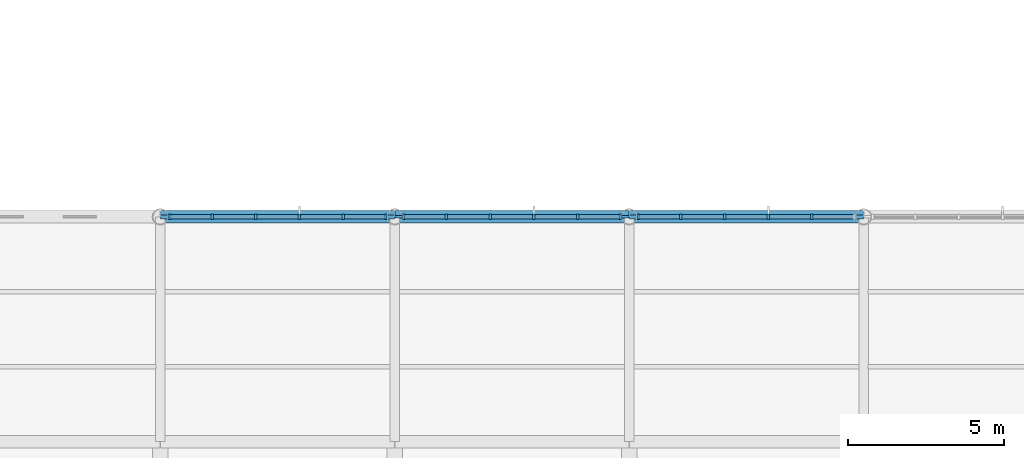
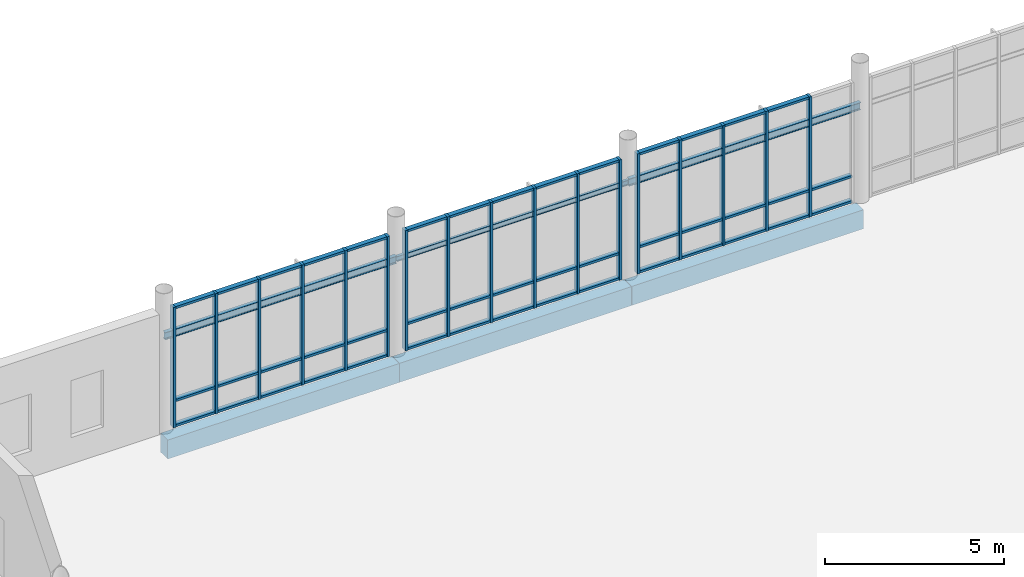
# One storey, part 20 of 82: 61 members, 6 beams, 3 elements without a shape of their own.
"""IFC4 building model written with IfcOpenShell, lengths in metres."""

from ifc_helpers import new_model, si_unit, direction, frame, origin, origin_2d, place, context, subcontext, project, spatial, rectangle, i_section, extrude, material, layer, layer_set, material_profile, profile_set, type_object, element, aggregate, save


model = new_model("IFC4")

# Units and contexts
model_context = context("Model", 3, precision=1e-05, world=origin(), true_north=direction((0.0, 1.0)))
body_context = subcontext(model_context, "Body", "Model", "MODEL_VIEW")
ifc_project = project(units=[si_unit("LENGTHUNIT", "METRE"), si_unit("AREAUNIT", "SQUARE_METRE"), si_unit("VOLUMEUNIT", "CUBIC_METRE"), si_unit("PLANEANGLEUNIT", "RADIAN"), si_unit("MASSUNIT", "GRAM", prefix="KILO")], contexts=[model_context])

# Site, building, storey
site_placement = place(None, origin())
site = spatial("IfcSite", under=ifc_project, at=site_placement, CompositionType="ELEMENT")
building_placement = place(site_placement, origin())
building = spatial("IfcBuilding", under=site, at=building_placement, Name="Yukiwa Park Conservatory and Herbarium", CompositionType="ELEMENT")
storey_placement = place(building_placement, origin())
storey = spatial("IfcBuildingStorey", under=building, at=storey_placement, Name="L00", CompositionType="ELEMENT", Elevation=0.0)

# Beams
ifc_material_1 = material(Name="Steel Q355D", Category="steel")
ifc_material_profile_1 = material_profile(ifc_material_1, i_section(OverallWidth=0.090087890625, OverallDepth=0.175048828125, WebThickness=0.0048828125, FlangeThickness=0.008056640625, FilletRadius=0.009033203125, at=origin_2d()), Name="HN 175x90x5x8")
ifc_profile_set_1 = profile_set([ifc_material_profile_1], Name="Steel Q355D")
beam_type_1 = type_object("IfcBeamType", Name="BM-LNT-HN175", PredefinedType="LINTEL", material=ifc_profile_set_1)
beam_placement = place(storey_placement, frame((15.006103515625, 31.199951171875, 3.199951171875), z_axis=(1.0, 0.0, 0.0), x_axis=(0.0, 1.0, 0.0)))
element("IfcBeam", 1, at=beam_placement, inside=storey, type_object=beam_type_1, Name="Conservatory north glazed portal steel lintel 2", PredefinedType="LINTEL", context=body_context, shape_type="SweptSolid", body=[
    extrude(i_section(OverallWidth=0.090087890625, OverallDepth=0.175048828125, WebThickness=0.0048828125, FlangeThickness=0.008056640625, FilletRadius=0.009033203125, at=origin_2d()), origin(), (0.0, 0.0, 1.0), 7.48779296875),
])
ifc_material_2 = material(Name="Steel Q355D", Category="steel")
ifc_material_profile_2 = material_profile(ifc_material_2, i_section(OverallWidth=0.125, OverallDepth=0.25, WebThickness=0.006103515625, FlangeThickness=0.009033203125, FilletRadius=0.011962890625, at=origin_2d()), Name="HN 250x125x6x9")
ifc_profile_set_2 = profile_set([ifc_material_profile_2], Name="Steel Q355D")
beam_type_2 = type_object("IfcBeamType", Name="BM-LNT-HN250", PredefinedType="LINTEL", material=ifc_profile_set_2)
for number, where, z_axis, x_axis, name in (
    (2, (7.506103515625, 31.199951171875, 3.199951171875), (1.0, 0.0, 0.0), (0.0, 1.0, 0.0), "Conservatory north glazed portal steel lintel 1"),
    (3, (22.506103515625, 31.199951171875, 3.199951171875), (1.0, 0.0, 0.0), (0.0, 1.0, 0.0), "Conservatory north glazed portal steel lintel 3"),
):
    element("IfcBeam", number, at=place(storey_placement, frame(where, z_axis=z_axis, x_axis=x_axis)), inside=storey, type_object=beam_type_2, Name=name, PredefinedType="LINTEL", context=body_context, shape_type="SweptSolid", body=[
        extrude(i_section(OverallWidth=0.125, OverallDepth=0.25, WebThickness=0.006103515625, FlangeThickness=0.009033203125, FilletRadius=0.011962890625, at=origin_2d()), origin(), (0.0, 0.0, 1.0), 7.48779296875),
    ])
ifc_material_3 = material(Name="Concrete C40", Category="concrete")
ifc_material_profile_3 = material_profile(ifc_material_3, rectangle(XDim=0.39990234375, YDim=0.64990234375, at=origin_2d()), Name="RC 400x650")
ifc_profile_set_3 = profile_set([ifc_material_profile_3], Name="Concrete C40")
beam_type_3 = type_object("IfcBeamType", Name="BM-RC-400X650", PredefinedType="BEAM", material=ifc_profile_set_3)
for number, where, z_axis, x_axis, name in (
    (4, (7.506103515625, 31.199951171875, -0.5849609375), (1.0, 0.0, 0.0), (0.0, 1.0, 0.0), "L00 grid beam X-46"),
    (5, (15.006103515625, 31.199951171875, -0.5849609375), (1.0, 0.0, 0.0), (0.0, 1.0, 0.0), "L00 grid beam X-47"),
    (6, (22.506103515625, 31.199951171875, -0.5849609375), (1.0, 0.0, 0.0), (0.0, 1.0, 0.0), "L00 grid beam X-48"),
):
    element("IfcBeam", number, at=place(storey_placement, frame(where, z_axis=z_axis, x_axis=x_axis)), inside=storey, type_object=beam_type_3, Name=name, PredefinedType="BEAM", context=body_context, shape_type="SweptSolid", body=[
        extrude(rectangle(XDim=0.39990234375, YDim=0.64990234375, at=origin_2d()), origin(), (0.0, 0.0, 1.0), 7.48779296875),
    ])

# Curtain wall, members
ifc_material_4 = material(Name="Triple Low-E Insulated Glass", Category="glass")
ifc_layer = layer(ifc_material_4, 0.152099609375)
ifc_layer_set = layer_set([ifc_layer], Name="Triple Low-E Insulated Glass")
curtain_wall_type = type_object("IfcCurtainWallType", Name="CW-CONSERVATORY-1500", PredefinedType="NOTDEFINED", material=ifc_layer_set)
curtain_wall_1_placement = place(storey_placement, origin())
curtain_wall_1 = element("IfcCurtainWall", 7, at=curtain_wall_1_placement, inside=storey, type_object=curtain_wall_type, Name="L00 unitised curtain wall CW-L00-021", PredefinedType="NOTDEFINED")
ifc_material_5 = material(Name="Anodised Aluminium", Category="aluminium")
member_type_1 = type_object("IfcMemberType", Name="MB-CW-MUL-80X180", PredefinedType="MULLION", material=ifc_material_5)
member_1_placement = place(storey_placement, frame((28.34765625, 31.199951171875, 0.0), z_axis=(0.0, 0.0, 1.0), x_axis=(-1.0, 0.0, 0.0)))
member_1 = element("IfcMember", 8, at=member_1_placement, type_object=member_type_1, Name="CW-L00-021 mullion 2", PredefinedType="MULLION", context=body_context, shape_type="SweptSolid", body=[
    extrude(rectangle(XDim=0.080078125, YDim=0.179931640625, at=origin_2d()), origin(), (0.0, 0.0, 1.0), 4.110107421875),
])
member_2_placement = place(storey_placement, frame((26.94921875, 31.199951171875, 0.0), z_axis=(0.0, 0.0, 1.0), x_axis=(-1.0, 0.0, 0.0)))
member_2 = element("IfcMember", 9, at=member_2_placement, type_object=member_type_1, Name="CW-L00-021 mullion 3", PredefinedType="MULLION", context=body_context, shape_type="SweptSolid", body=[
    extrude(rectangle(XDim=0.080078125, YDim=0.179931640625, at=origin_2d()), origin(), (0.0, 0.0, 1.0), 4.110107421875),
])
member_3_placement = place(storey_placement, frame((25.55078125, 31.199951171875, 0.0), z_axis=(0.0, 0.0, 1.0), x_axis=(-1.0, 0.0, 0.0)))
member_3 = element("IfcMember", 10, at=member_3_placement, type_object=member_type_1, Name="CW-L00-021 mullion 4", PredefinedType="MULLION", context=body_context, shape_type="SweptSolid", body=[
    extrude(rectangle(XDim=0.080078125, YDim=0.179931640625, at=origin_2d()), origin(), (0.0, 0.0, 1.0), 4.110107421875),
])
member_4_placement = place(storey_placement, frame((24.15234375, 31.199951171875, 0.0), z_axis=(0.0, 0.0, 1.0), x_axis=(-1.0, 0.0, 0.0)))
member_4 = element("IfcMember", 11, at=member_4_placement, type_object=member_type_1, Name="CW-L00-021 mullion 5", PredefinedType="MULLION", context=body_context, shape_type="SweptSolid", body=[
    extrude(rectangle(XDim=0.080078125, YDim=0.179931640625, at=origin_2d()), origin(), (0.0, 0.0, 1.0), 4.110107421875),
])
member_5_placement = place(storey_placement, frame((22.7939453125, 31.199951171875, 0.0), z_axis=(0.0, 0.0, 1.0), x_axis=(-1.0, 0.0, 0.0)))
member_5 = element("IfcMember", 12, at=member_5_placement, type_object=member_type_1, Name="CW-L00-021 mullion 6", PredefinedType="MULLION", context=body_context, shape_type="SweptSolid", body=[
    extrude(rectangle(XDim=0.080078125, YDim=0.179931640625, at=origin_2d()), origin(), (0.0, 0.0, 1.0), 4.110107421875),
])

curtain_wall_2_placement = place(storey_placement, origin())
curtain_wall_2 = element("IfcCurtainWall", 13, at=curtain_wall_2_placement, inside=storey, type_object=curtain_wall_type, Name="L00 unitised curtain wall CW-L00-022", PredefinedType="NOTDEFINED")
member_6_placement = place(storey_placement, frame((22.2060546875, 31.199951171875, 0.0), z_axis=(0.0, 0.0, 1.0), x_axis=(-1.0, 0.0, 0.0)))
member_6 = element("IfcMember", 14, at=member_6_placement, type_object=member_type_1, Name="CW-L00-022 mullion 1", PredefinedType="MULLION", context=body_context, shape_type="SweptSolid", body=[
    extrude(rectangle(XDim=0.080078125, YDim=0.179931640625, at=origin_2d()), origin(), (0.0, 0.0, 1.0), 4.110107421875),
])
member_7_placement = place(storey_placement, frame((20.84765625, 31.199951171875, 0.0), z_axis=(0.0, 0.0, 1.0), x_axis=(-1.0, 0.0, 0.0)))
member_7 = element("IfcMember", 15, at=member_7_placement, type_object=member_type_1, Name="CW-L00-022 mullion 2", PredefinedType="MULLION", context=body_context, shape_type="SweptSolid", body=[
    extrude(rectangle(XDim=0.080078125, YDim=0.179931640625, at=origin_2d()), origin(), (0.0, 0.0, 1.0), 4.110107421875),
])
member_8_placement = place(storey_placement, frame((19.44921875, 31.199951171875, 0.0), z_axis=(0.0, 0.0, 1.0), x_axis=(-1.0, 0.0, 0.0)))
member_8 = element("IfcMember", 16, at=member_8_placement, type_object=member_type_1, Name="CW-L00-022 mullion 3", PredefinedType="MULLION", context=body_context, shape_type="SweptSolid", body=[
    extrude(rectangle(XDim=0.080078125, YDim=0.179931640625, at=origin_2d()), origin(), (0.0, 0.0, 1.0), 4.110107421875),
])
member_9_placement = place(storey_placement, frame((18.05078125, 31.199951171875, 0.0), z_axis=(0.0, 0.0, 1.0), x_axis=(-1.0, 0.0, 0.0)))
member_9 = element("IfcMember", 17, at=member_9_placement, type_object=member_type_1, Name="CW-L00-022 mullion 4", PredefinedType="MULLION", context=body_context, shape_type="SweptSolid", body=[
    extrude(rectangle(XDim=0.080078125, YDim=0.179931640625, at=origin_2d()), origin(), (0.0, 0.0, 1.0), 4.110107421875),
])
member_10_placement = place(storey_placement, frame((16.65234375, 31.199951171875, 0.0), z_axis=(0.0, 0.0, 1.0), x_axis=(-1.0, 0.0, 0.0)))
member_10 = element("IfcMember", 18, at=member_10_placement, type_object=member_type_1, Name="CW-L00-022 mullion 5", PredefinedType="MULLION", context=body_context, shape_type="SweptSolid", body=[
    extrude(rectangle(XDim=0.080078125, YDim=0.179931640625, at=origin_2d()), origin(), (0.0, 0.0, 1.0), 4.110107421875),
])
member_11_placement = place(storey_placement, frame((15.2939453125, 31.199951171875, 0.0), z_axis=(0.0, 0.0, 1.0), x_axis=(-1.0, 0.0, 0.0)))
member_11 = element("IfcMember", 19, at=member_11_placement, type_object=member_type_1, Name="CW-L00-022 mullion 6", PredefinedType="MULLION", context=body_context, shape_type="SweptSolid", body=[
    extrude(rectangle(XDim=0.080078125, YDim=0.179931640625, at=origin_2d()), origin(), (0.0, 0.0, 1.0), 4.110107421875),
])

curtain_wall_3_placement = place(storey_placement, origin())
curtain_wall_3 = element("IfcCurtainWall", 20, at=curtain_wall_3_placement, inside=storey, type_object=curtain_wall_type, Name="L00 unitised curtain wall CW-L00-023", PredefinedType="NOTDEFINED")
member_12_placement = place(storey_placement, frame((14.7060546875, 31.199951171875, 0.0), z_axis=(0.0, 0.0, 1.0), x_axis=(-1.0, 0.0, 0.0)))
member_12 = element("IfcMember", 21, at=member_12_placement, type_object=member_type_1, Name="CW-L00-023 mullion 1", PredefinedType="MULLION", context=body_context, shape_type="SweptSolid", body=[
    extrude(rectangle(XDim=0.080078125, YDim=0.179931640625, at=origin_2d()), origin(), (0.0, 0.0, 1.0), 4.110107421875),
])
member_13_placement = place(storey_placement, frame((13.34765625, 31.199951171875, 0.0), z_axis=(0.0, 0.0, 1.0), x_axis=(-1.0, 0.0, 0.0)))
member_13 = element("IfcMember", 22, at=member_13_placement, type_object=member_type_1, Name="CW-L00-023 mullion 2", PredefinedType="MULLION", context=body_context, shape_type="SweptSolid", body=[
    extrude(rectangle(XDim=0.080078125, YDim=0.179931640625, at=origin_2d()), origin(), (0.0, 0.0, 1.0), 4.110107421875),
])
member_14_placement = place(storey_placement, frame((11.94921875, 31.199951171875, 0.0), z_axis=(0.0, 0.0, 1.0), x_axis=(-1.0, 0.0, 0.0)))
member_14 = element("IfcMember", 23, at=member_14_placement, type_object=member_type_1, Name="CW-L00-023 mullion 3", PredefinedType="MULLION", context=body_context, shape_type="SweptSolid", body=[
    extrude(rectangle(XDim=0.080078125, YDim=0.179931640625, at=origin_2d()), origin(), (0.0, 0.0, 1.0), 4.110107421875),
])
member_15_placement = place(storey_placement, frame((10.55078125, 31.199951171875, 0.0), z_axis=(0.0, 0.0, 1.0), x_axis=(-1.0, 0.0, 0.0)))
member_15 = element("IfcMember", 24, at=member_15_placement, type_object=member_type_1, Name="CW-L00-023 mullion 4", PredefinedType="MULLION", context=body_context, shape_type="SweptSolid", body=[
    extrude(rectangle(XDim=0.080078125, YDim=0.179931640625, at=origin_2d()), origin(), (0.0, 0.0, 1.0), 4.110107421875),
])
member_16_placement = place(storey_placement, frame((9.15234375, 31.199951171875, 0.0), z_axis=(0.0, 0.0, 1.0), x_axis=(-1.0, 0.0, 0.0)))
member_16 = element("IfcMember", 25, at=member_16_placement, type_object=member_type_1, Name="CW-L00-023 mullion 5", PredefinedType="MULLION", context=body_context, shape_type="SweptSolid", body=[
    extrude(rectangle(XDim=0.080078125, YDim=0.179931640625, at=origin_2d()), origin(), (0.0, 0.0, 1.0), 4.110107421875),
])
member_17_placement = place(storey_placement, frame((7.7939453125, 31.199951171875, 0.0), z_axis=(0.0, 0.0, 1.0), x_axis=(-1.0, 0.0, 0.0)))
member_17 = element("IfcMember", 26, at=member_17_placement, type_object=member_type_1, Name="CW-L00-023 mullion 6", PredefinedType="MULLION", context=body_context, shape_type="SweptSolid", body=[
    extrude(rectangle(XDim=0.080078125, YDim=0.179931640625, at=origin_2d()), origin(), (0.0, 0.0, 1.0), 4.110107421875),
])

# Member
ifc_material_6 = material(Name="Anodised Aluminium", Category="aluminium")
member_type_2 = type_object("IfcMemberType", Name="MB-CW-TRN-80X150", PredefinedType="USERDEFINED", material=ifc_material_6)
member_18_placement = place(storey_placement, frame((29.046875, 31.199951171875, 0.0), z_axis=(0.0, 0.0, 1.0), x_axis=(-1.0, 0.0, 0.0)))
member_18 = element("IfcMember", 27, at=member_18_placement, type_object=member_type_2, Name="CW-L00-021 transom 1.1", ObjectType="TRANSOM", PredefinedType="USERDEFINED", context=body_context, shape_type="SweptSolid", body=[
    extrude(rectangle(XDim=1.318359375, YDim=0.14990234375, at=origin_2d()), origin(), (0.0, 0.0, 1.0), 0.080078125),
])

member_19_placement = place(storey_placement, frame((29.046875, 31.199951171875, 0.85986328125), z_axis=(0.0, 0.0, 1.0), x_axis=(-1.0, 0.0, 0.0)))
member_19 = element("IfcMember", 28, at=member_19_placement, type_object=member_type_2, Name="CW-L00-021 transom 1.2", ObjectType="TRANSOM", PredefinedType="USERDEFINED", context=body_context, shape_type="SweptSolid", body=[
    extrude(rectangle(XDim=1.318359375, YDim=0.14990234375, at=origin_2d()), origin(), (0.0, 0.0, 1.0), 0.080078125),
])

member_20_placement = place(storey_placement, frame((27.6484375, 31.199951171875, 0.0), z_axis=(0.0, 0.0, 1.0), x_axis=(-1.0, 0.0, 0.0)))
member_20 = element("IfcMember", 29, at=member_20_placement, type_object=member_type_2, Name="CW-L00-021 transom 2.1", ObjectType="TRANSOM", PredefinedType="USERDEFINED", context=body_context, shape_type="SweptSolid", body=[
    extrude(rectangle(XDim=1.318359375, YDim=0.14990234375, at=origin_2d()), origin(), (0.0, 0.0, 1.0), 0.080078125),
])

member_21_placement = place(storey_placement, frame((27.6484375, 31.199951171875, 0.85986328125), z_axis=(0.0, 0.0, 1.0), x_axis=(-1.0, 0.0, 0.0)))
member_21 = element("IfcMember", 30, at=member_21_placement, type_object=member_type_2, Name="CW-L00-021 transom 2.2", ObjectType="TRANSOM", PredefinedType="USERDEFINED", context=body_context, shape_type="SweptSolid", body=[
    extrude(rectangle(XDim=1.318359375, YDim=0.14990234375, at=origin_2d()), origin(), (0.0, 0.0, 1.0), 0.080078125),
])

member_22_placement = place(storey_placement, frame((27.6484375, 31.199951171875, 4.030029296875), z_axis=(0.0, 0.0, 1.0), x_axis=(-1.0, 0.0, 0.0)))
member_22 = element("IfcMember", 31, at=member_22_placement, type_object=member_type_2, Name="CW-L00-021 transom 2.3", ObjectType="TRANSOM", PredefinedType="USERDEFINED", context=body_context, shape_type="SweptSolid", body=[
    extrude(rectangle(XDim=1.318359375, YDim=0.14990234375, at=origin_2d()), origin(), (0.0, 0.0, 1.0), 0.080078125),
])

member_23_placement = place(storey_placement, frame((26.25, 31.199951171875, 0.0), z_axis=(0.0, 0.0, 1.0), x_axis=(-1.0, 0.0, 0.0)))
member_23 = element("IfcMember", 32, at=member_23_placement, type_object=member_type_2, Name="CW-L00-021 transom 3.1", ObjectType="TRANSOM", PredefinedType="USERDEFINED", context=body_context, shape_type="SweptSolid", body=[
    extrude(rectangle(XDim=1.318359375, YDim=0.14990234375, at=origin_2d()), origin(), (0.0, 0.0, 1.0), 0.080078125),
])

member_24_placement = place(storey_placement, frame((26.25, 31.199951171875, 0.85986328125), z_axis=(0.0, 0.0, 1.0), x_axis=(-1.0, 0.0, 0.0)))
member_24 = element("IfcMember", 33, at=member_24_placement, type_object=member_type_2, Name="CW-L00-021 transom 3.2", ObjectType="TRANSOM", PredefinedType="USERDEFINED", context=body_context, shape_type="SweptSolid", body=[
    extrude(rectangle(XDim=1.318359375, YDim=0.14990234375, at=origin_2d()), origin(), (0.0, 0.0, 1.0), 0.080078125),
])

member_25_placement = place(storey_placement, frame((26.25, 31.199951171875, 4.030029296875), z_axis=(0.0, 0.0, 1.0), x_axis=(-1.0, 0.0, 0.0)))
member_25 = element("IfcMember", 34, at=member_25_placement, type_object=member_type_2, Name="CW-L00-021 transom 3.3", ObjectType="TRANSOM", PredefinedType="USERDEFINED", context=body_context, shape_type="SweptSolid", body=[
    extrude(rectangle(XDim=1.318359375, YDim=0.14990234375, at=origin_2d()), origin(), (0.0, 0.0, 1.0), 0.080078125),
])

member_26_placement = place(storey_placement, frame((24.8515625, 31.199951171875, 0.0), z_axis=(0.0, 0.0, 1.0), x_axis=(-1.0, 0.0, 0.0)))
member_26 = element("IfcMember", 35, at=member_26_placement, type_object=member_type_2, Name="CW-L00-021 transom 4.1", ObjectType="TRANSOM", PredefinedType="USERDEFINED", context=body_context, shape_type="SweptSolid", body=[
    extrude(rectangle(XDim=1.318359375, YDim=0.14990234375, at=origin_2d()), origin(), (0.0, 0.0, 1.0), 0.080078125),
])

member_27_placement = place(storey_placement, frame((24.8515625, 31.199951171875, 0.85986328125), z_axis=(0.0, 0.0, 1.0), x_axis=(-1.0, 0.0, 0.0)))
member_27 = element("IfcMember", 36, at=member_27_placement, type_object=member_type_2, Name="CW-L00-021 transom 4.2", ObjectType="TRANSOM", PredefinedType="USERDEFINED", context=body_context, shape_type="SweptSolid", body=[
    extrude(rectangle(XDim=1.318359375, YDim=0.14990234375, at=origin_2d()), origin(), (0.0, 0.0, 1.0), 0.080078125),
])

member_28_placement = place(storey_placement, frame((24.8515625, 31.199951171875, 4.030029296875), z_axis=(0.0, 0.0, 1.0), x_axis=(-1.0, 0.0, 0.0)))
member_28 = element("IfcMember", 37, at=member_28_placement, type_object=member_type_2, Name="CW-L00-021 transom 4.3", ObjectType="TRANSOM", PredefinedType="USERDEFINED", context=body_context, shape_type="SweptSolid", body=[
    extrude(rectangle(XDim=1.318359375, YDim=0.14990234375, at=origin_2d()), origin(), (0.0, 0.0, 1.0), 0.080078125),
])

member_29_placement = place(storey_placement, frame((23.453125, 31.199951171875, 0.0), z_axis=(0.0, 0.0, 1.0), x_axis=(-1.0, 0.0, 0.0)))
member_29 = element("IfcMember", 38, at=member_29_placement, type_object=member_type_2, Name="CW-L00-021 transom 5.1", ObjectType="TRANSOM", PredefinedType="USERDEFINED", context=body_context, shape_type="SweptSolid", body=[
    extrude(rectangle(XDim=1.318359375, YDim=0.14990234375, at=origin_2d()), origin(), (0.0, 0.0, 1.0), 0.080078125),
])

member_30_placement = place(storey_placement, frame((23.453125, 31.199951171875, 0.85986328125), z_axis=(0.0, 0.0, 1.0), x_axis=(-1.0, 0.0, 0.0)))
member_30 = element("IfcMember", 39, at=member_30_placement, type_object=member_type_2, Name="CW-L00-021 transom 5.2", ObjectType="TRANSOM", PredefinedType="USERDEFINED", context=body_context, shape_type="SweptSolid", body=[
    extrude(rectangle(XDim=1.318359375, YDim=0.14990234375, at=origin_2d()), origin(), (0.0, 0.0, 1.0), 0.080078125),
])

member_31_placement = place(storey_placement, frame((23.453125, 31.199951171875, 4.030029296875), z_axis=(0.0, 0.0, 1.0), x_axis=(-1.0, 0.0, 0.0)))
member_31 = element("IfcMember", 40, at=member_31_placement, type_object=member_type_2, Name="CW-L00-021 transom 5.3", ObjectType="TRANSOM", PredefinedType="USERDEFINED", context=body_context, shape_type="SweptSolid", body=[
    extrude(rectangle(XDim=1.318359375, YDim=0.14990234375, at=origin_2d()), origin(), (0.0, 0.0, 1.0), 0.080078125),
])

aggregate(curtain_wall_1, [member_1, member_2, member_3, member_4, member_5, member_18, member_19, member_20, member_21, member_22, member_23, member_24, member_25, member_26, member_27, member_28, member_29, member_30, member_31])

member_32_placement = place(storey_placement, frame((21.546875, 31.199951171875, 0.0), z_axis=(0.0, 0.0, 1.0), x_axis=(-1.0, 0.0, 0.0)))
member_32 = element("IfcMember", 41, at=member_32_placement, type_object=member_type_2, Name="CW-L00-022 transom 1.1", ObjectType="TRANSOM", PredefinedType="USERDEFINED", context=body_context, shape_type="SweptSolid", body=[
    extrude(rectangle(XDim=1.318359375, YDim=0.14990234375, at=origin_2d()), origin(), (0.0, 0.0, 1.0), 0.080078125),
])

member_33_placement = place(storey_placement, frame((21.546875, 31.199951171875, 0.85986328125), z_axis=(0.0, 0.0, 1.0), x_axis=(-1.0, 0.0, 0.0)))
member_33 = element("IfcMember", 42, at=member_33_placement, type_object=member_type_2, Name="CW-L00-022 transom 1.2", ObjectType="TRANSOM", PredefinedType="USERDEFINED", context=body_context, shape_type="SweptSolid", body=[
    extrude(rectangle(XDim=1.318359375, YDim=0.14990234375, at=origin_2d()), origin(), (0.0, 0.0, 1.0), 0.080078125),
])

member_34_placement = place(storey_placement, frame((21.546875, 31.199951171875, 4.030029296875), z_axis=(0.0, 0.0, 1.0), x_axis=(-1.0, 0.0, 0.0)))
member_34 = element("IfcMember", 43, at=member_34_placement, type_object=member_type_2, Name="CW-L00-022 transom 1.3", ObjectType="TRANSOM", PredefinedType="USERDEFINED", context=body_context, shape_type="SweptSolid", body=[
    extrude(rectangle(XDim=1.318359375, YDim=0.14990234375, at=origin_2d()), origin(), (0.0, 0.0, 1.0), 0.080078125),
])

member_35_placement = place(storey_placement, frame((20.1484375, 31.199951171875, 0.0), z_axis=(0.0, 0.0, 1.0), x_axis=(-1.0, 0.0, 0.0)))
member_35 = element("IfcMember", 44, at=member_35_placement, type_object=member_type_2, Name="CW-L00-022 transom 2.1", ObjectType="TRANSOM", PredefinedType="USERDEFINED", context=body_context, shape_type="SweptSolid", body=[
    extrude(rectangle(XDim=1.318359375, YDim=0.14990234375, at=origin_2d()), origin(), (0.0, 0.0, 1.0), 0.080078125),
])

member_36_placement = place(storey_placement, frame((20.1484375, 31.199951171875, 0.85986328125), z_axis=(0.0, 0.0, 1.0), x_axis=(-1.0, 0.0, 0.0)))
member_36 = element("IfcMember", 45, at=member_36_placement, type_object=member_type_2, Name="CW-L00-022 transom 2.2", ObjectType="TRANSOM", PredefinedType="USERDEFINED", context=body_context, shape_type="SweptSolid", body=[
    extrude(rectangle(XDim=1.318359375, YDim=0.14990234375, at=origin_2d()), origin(), (0.0, 0.0, 1.0), 0.080078125),
])

member_37_placement = place(storey_placement, frame((20.1484375, 31.199951171875, 4.030029296875), z_axis=(0.0, 0.0, 1.0), x_axis=(-1.0, 0.0, 0.0)))
member_37 = element("IfcMember", 46, at=member_37_placement, type_object=member_type_2, Name="CW-L00-022 transom 2.3", ObjectType="TRANSOM", PredefinedType="USERDEFINED", context=body_context, shape_type="SweptSolid", body=[
    extrude(rectangle(XDim=1.318359375, YDim=0.14990234375, at=origin_2d()), origin(), (0.0, 0.0, 1.0), 0.080078125),
])

member_38_placement = place(storey_placement, frame((18.75, 31.199951171875, 0.0), z_axis=(0.0, 0.0, 1.0), x_axis=(-1.0, 0.0, 0.0)))
member_38 = element("IfcMember", 47, at=member_38_placement, type_object=member_type_2, Name="CW-L00-022 transom 3.1", ObjectType="TRANSOM", PredefinedType="USERDEFINED", context=body_context, shape_type="SweptSolid", body=[
    extrude(rectangle(XDim=1.318359375, YDim=0.14990234375, at=origin_2d()), origin(), (0.0, 0.0, 1.0), 0.080078125),
])

member_39_placement = place(storey_placement, frame((18.75, 31.199951171875, 0.85986328125), z_axis=(0.0, 0.0, 1.0), x_axis=(-1.0, 0.0, 0.0)))
member_39 = element("IfcMember", 48, at=member_39_placement, type_object=member_type_2, Name="CW-L00-022 transom 3.2", ObjectType="TRANSOM", PredefinedType="USERDEFINED", context=body_context, shape_type="SweptSolid", body=[
    extrude(rectangle(XDim=1.318359375, YDim=0.14990234375, at=origin_2d()), origin(), (0.0, 0.0, 1.0), 0.080078125),
])

member_40_placement = place(storey_placement, frame((18.75, 31.199951171875, 4.030029296875), z_axis=(0.0, 0.0, 1.0), x_axis=(-1.0, 0.0, 0.0)))
member_40 = element("IfcMember", 49, at=member_40_placement, type_object=member_type_2, Name="CW-L00-022 transom 3.3", ObjectType="TRANSOM", PredefinedType="USERDEFINED", context=body_context, shape_type="SweptSolid", body=[
    extrude(rectangle(XDim=1.318359375, YDim=0.14990234375, at=origin_2d()), origin(), (0.0, 0.0, 1.0), 0.080078125),
])

member_41_placement = place(storey_placement, frame((17.3515625, 31.199951171875, 0.0), z_axis=(0.0, 0.0, 1.0), x_axis=(-1.0, 0.0, 0.0)))
member_41 = element("IfcMember", 50, at=member_41_placement, type_object=member_type_2, Name="CW-L00-022 transom 4.1", ObjectType="TRANSOM", PredefinedType="USERDEFINED", context=body_context, shape_type="SweptSolid", body=[
    extrude(rectangle(XDim=1.318359375, YDim=0.14990234375, at=origin_2d()), origin(), (0.0, 0.0, 1.0), 0.080078125),
])

member_42_placement = place(storey_placement, frame((17.3515625, 31.199951171875, 0.85986328125), z_axis=(0.0, 0.0, 1.0), x_axis=(-1.0, 0.0, 0.0)))
member_42 = element("IfcMember", 51, at=member_42_placement, type_object=member_type_2, Name="CW-L00-022 transom 4.2", ObjectType="TRANSOM", PredefinedType="USERDEFINED", context=body_context, shape_type="SweptSolid", body=[
    extrude(rectangle(XDim=1.318359375, YDim=0.14990234375, at=origin_2d()), origin(), (0.0, 0.0, 1.0), 0.080078125),
])

member_43_placement = place(storey_placement, frame((17.3515625, 31.199951171875, 4.030029296875), z_axis=(0.0, 0.0, 1.0), x_axis=(-1.0, 0.0, 0.0)))
member_43 = element("IfcMember", 52, at=member_43_placement, type_object=member_type_2, Name="CW-L00-022 transom 4.3", ObjectType="TRANSOM", PredefinedType="USERDEFINED", context=body_context, shape_type="SweptSolid", body=[
    extrude(rectangle(XDim=1.318359375, YDim=0.14990234375, at=origin_2d()), origin(), (0.0, 0.0, 1.0), 0.080078125),
])

member_44_placement = place(storey_placement, frame((15.953125, 31.199951171875, 0.0), z_axis=(0.0, 0.0, 1.0), x_axis=(-1.0, 0.0, 0.0)))
member_44 = element("IfcMember", 53, at=member_44_placement, type_object=member_type_2, Name="CW-L00-022 transom 5.1", ObjectType="TRANSOM", PredefinedType="USERDEFINED", context=body_context, shape_type="SweptSolid", body=[
    extrude(rectangle(XDim=1.318359375, YDim=0.14990234375, at=origin_2d()), origin(), (0.0, 0.0, 1.0), 0.080078125),
])

member_45_placement = place(storey_placement, frame((15.953125, 31.199951171875, 0.85986328125), z_axis=(0.0, 0.0, 1.0), x_axis=(-1.0, 0.0, 0.0)))
member_45 = element("IfcMember", 54, at=member_45_placement, type_object=member_type_2, Name="CW-L00-022 transom 5.2", ObjectType="TRANSOM", PredefinedType="USERDEFINED", context=body_context, shape_type="SweptSolid", body=[
    extrude(rectangle(XDim=1.318359375, YDim=0.14990234375, at=origin_2d()), origin(), (0.0, 0.0, 1.0), 0.080078125),
])

member_46_placement = place(storey_placement, frame((15.953125, 31.199951171875, 4.030029296875), z_axis=(0.0, 0.0, 1.0), x_axis=(-1.0, 0.0, 0.0)))
member_46 = element("IfcMember", 55, at=member_46_placement, type_object=member_type_2, Name="CW-L00-022 transom 5.3", ObjectType="TRANSOM", PredefinedType="USERDEFINED", context=body_context, shape_type="SweptSolid", body=[
    extrude(rectangle(XDim=1.318359375, YDim=0.14990234375, at=origin_2d()), origin(), (0.0, 0.0, 1.0), 0.080078125),
])

aggregate(curtain_wall_2, [member_6, member_7, member_8, member_9, member_10, member_11, member_32, member_33, member_34, member_35, member_36, member_37, member_38, member_39, member_40, member_41, member_42, member_43, member_44, member_45, member_46])

member_47_placement = place(storey_placement, frame((14.046875, 31.199951171875, 0.0), z_axis=(0.0, 0.0, 1.0), x_axis=(-1.0, 0.0, 0.0)))
member_47 = element("IfcMember", 56, at=member_47_placement, type_object=member_type_2, Name="CW-L00-023 transom 1.1", ObjectType="TRANSOM", PredefinedType="USERDEFINED", context=body_context, shape_type="SweptSolid", body=[
    extrude(rectangle(XDim=1.318359375, YDim=0.14990234375, at=origin_2d()), origin(), (0.0, 0.0, 1.0), 0.080078125),
])

member_48_placement = place(storey_placement, frame((14.046875, 31.199951171875, 0.85986328125), z_axis=(0.0, 0.0, 1.0), x_axis=(-1.0, 0.0, 0.0)))
member_48 = element("IfcMember", 57, at=member_48_placement, type_object=member_type_2, Name="CW-L00-023 transom 1.2", ObjectType="TRANSOM", PredefinedType="USERDEFINED", context=body_context, shape_type="SweptSolid", body=[
    extrude(rectangle(XDim=1.318359375, YDim=0.14990234375, at=origin_2d()), origin(), (0.0, 0.0, 1.0), 0.080078125),
])

member_49_placement = place(storey_placement, frame((14.046875, 31.199951171875, 4.030029296875), z_axis=(0.0, 0.0, 1.0), x_axis=(-1.0, 0.0, 0.0)))
member_49 = element("IfcMember", 58, at=member_49_placement, type_object=member_type_2, Name="CW-L00-023 transom 1.3", ObjectType="TRANSOM", PredefinedType="USERDEFINED", context=body_context, shape_type="SweptSolid", body=[
    extrude(rectangle(XDim=1.318359375, YDim=0.14990234375, at=origin_2d()), origin(), (0.0, 0.0, 1.0), 0.080078125),
])

member_50_placement = place(storey_placement, frame((12.6484375, 31.199951171875, 0.0), z_axis=(0.0, 0.0, 1.0), x_axis=(-1.0, 0.0, 0.0)))
member_50 = element("IfcMember", 59, at=member_50_placement, type_object=member_type_2, Name="CW-L00-023 transom 2.1", ObjectType="TRANSOM", PredefinedType="USERDEFINED", context=body_context, shape_type="SweptSolid", body=[
    extrude(rectangle(XDim=1.318359375, YDim=0.14990234375, at=origin_2d()), origin(), (0.0, 0.0, 1.0), 0.080078125),
])

member_51_placement = place(storey_placement, frame((12.6484375, 31.199951171875, 0.85986328125), z_axis=(0.0, 0.0, 1.0), x_axis=(-1.0, 0.0, 0.0)))
member_51 = element("IfcMember", 60, at=member_51_placement, type_object=member_type_2, Name="CW-L00-023 transom 2.2", ObjectType="TRANSOM", PredefinedType="USERDEFINED", context=body_context, shape_type="SweptSolid", body=[
    extrude(rectangle(XDim=1.318359375, YDim=0.14990234375, at=origin_2d()), origin(), (0.0, 0.0, 1.0), 0.080078125),
])

member_52_placement = place(storey_placement, frame((12.6484375, 31.199951171875, 4.030029296875), z_axis=(0.0, 0.0, 1.0), x_axis=(-1.0, 0.0, 0.0)))
member_52 = element("IfcMember", 61, at=member_52_placement, type_object=member_type_2, Name="CW-L00-023 transom 2.3", ObjectType="TRANSOM", PredefinedType="USERDEFINED", context=body_context, shape_type="SweptSolid", body=[
    extrude(rectangle(XDim=1.318359375, YDim=0.14990234375, at=origin_2d()), origin(), (0.0, 0.0, 1.0), 0.080078125),
])

member_53_placement = place(storey_placement, frame((11.25, 31.199951171875, 0.0), z_axis=(0.0, 0.0, 1.0), x_axis=(-1.0, 0.0, 0.0)))
member_53 = element("IfcMember", 62, at=member_53_placement, type_object=member_type_2, Name="CW-L00-023 transom 3.1", ObjectType="TRANSOM", PredefinedType="USERDEFINED", context=body_context, shape_type="SweptSolid", body=[
    extrude(rectangle(XDim=1.318359375, YDim=0.14990234375, at=origin_2d()), origin(), (0.0, 0.0, 1.0), 0.080078125),
])

member_54_placement = place(storey_placement, frame((11.25, 31.199951171875, 0.85986328125), z_axis=(0.0, 0.0, 1.0), x_axis=(-1.0, 0.0, 0.0)))
member_54 = element("IfcMember", 63, at=member_54_placement, type_object=member_type_2, Name="CW-L00-023 transom 3.2", ObjectType="TRANSOM", PredefinedType="USERDEFINED", context=body_context, shape_type="SweptSolid", body=[
    extrude(rectangle(XDim=1.318359375, YDim=0.14990234375, at=origin_2d()), origin(), (0.0, 0.0, 1.0), 0.080078125),
])

member_55_placement = place(storey_placement, frame((11.25, 31.199951171875, 4.030029296875), z_axis=(0.0, 0.0, 1.0), x_axis=(-1.0, 0.0, 0.0)))
member_55 = element("IfcMember", 64, at=member_55_placement, type_object=member_type_2, Name="CW-L00-023 transom 3.3", ObjectType="TRANSOM", PredefinedType="USERDEFINED", context=body_context, shape_type="SweptSolid", body=[
    extrude(rectangle(XDim=1.318359375, YDim=0.14990234375, at=origin_2d()), origin(), (0.0, 0.0, 1.0), 0.080078125),
])

member_56_placement = place(storey_placement, frame((9.8515625, 31.199951171875, 0.0), z_axis=(0.0, 0.0, 1.0), x_axis=(-1.0, 0.0, 0.0)))
member_56 = element("IfcMember", 65, at=member_56_placement, type_object=member_type_2, Name="CW-L00-023 transom 4.1", ObjectType="TRANSOM", PredefinedType="USERDEFINED", context=body_context, shape_type="SweptSolid", body=[
    extrude(rectangle(XDim=1.318359375, YDim=0.14990234375, at=origin_2d()), origin(), (0.0, 0.0, 1.0), 0.080078125),
])

member_57_placement = place(storey_placement, frame((9.8515625, 31.199951171875, 0.85986328125), z_axis=(0.0, 0.0, 1.0), x_axis=(-1.0, 0.0, 0.0)))
member_57 = element("IfcMember", 66, at=member_57_placement, type_object=member_type_2, Name="CW-L00-023 transom 4.2", ObjectType="TRANSOM", PredefinedType="USERDEFINED", context=body_context, shape_type="SweptSolid", body=[
    extrude(rectangle(XDim=1.318359375, YDim=0.14990234375, at=origin_2d()), origin(), (0.0, 0.0, 1.0), 0.080078125),
])

member_58_placement = place(storey_placement, frame((9.8515625, 31.199951171875, 4.030029296875), z_axis=(0.0, 0.0, 1.0), x_axis=(-1.0, 0.0, 0.0)))
member_58 = element("IfcMember", 67, at=member_58_placement, type_object=member_type_2, Name="CW-L00-023 transom 4.3", ObjectType="TRANSOM", PredefinedType="USERDEFINED", context=body_context, shape_type="SweptSolid", body=[
    extrude(rectangle(XDim=1.318359375, YDim=0.14990234375, at=origin_2d()), origin(), (0.0, 0.0, 1.0), 0.080078125),
])

member_59_placement = place(storey_placement, frame((8.453125, 31.199951171875, 0.0), z_axis=(0.0, 0.0, 1.0), x_axis=(-1.0, 0.0, 0.0)))
member_59 = element("IfcMember", 68, at=member_59_placement, type_object=member_type_2, Name="CW-L00-023 transom 5.1", ObjectType="TRANSOM", PredefinedType="USERDEFINED", context=body_context, shape_type="SweptSolid", body=[
    extrude(rectangle(XDim=1.318359375, YDim=0.14990234375, at=origin_2d()), origin(), (0.0, 0.0, 1.0), 0.080078125),
])

member_60_placement = place(storey_placement, frame((8.453125, 31.199951171875, 0.85986328125), z_axis=(0.0, 0.0, 1.0), x_axis=(-1.0, 0.0, 0.0)))
member_60 = element("IfcMember", 69, at=member_60_placement, type_object=member_type_2, Name="CW-L00-023 transom 5.2", ObjectType="TRANSOM", PredefinedType="USERDEFINED", context=body_context, shape_type="SweptSolid", body=[
    extrude(rectangle(XDim=1.318359375, YDim=0.14990234375, at=origin_2d()), origin(), (0.0, 0.0, 1.0), 0.080078125),
])

member_61_placement = place(storey_placement, frame((8.453125, 31.199951171875, 4.030029296875), z_axis=(0.0, 0.0, 1.0), x_axis=(-1.0, 0.0, 0.0)))
member_61 = element("IfcMember", 70, at=member_61_placement, type_object=member_type_2, Name="CW-L00-023 transom 5.3", ObjectType="TRANSOM", PredefinedType="USERDEFINED", context=body_context, shape_type="SweptSolid", body=[
    extrude(rectangle(XDim=1.318359375, YDim=0.14990234375, at=origin_2d()), origin(), (0.0, 0.0, 1.0), 0.080078125),
])

aggregate(curtain_wall_3, [member_12, member_13, member_14, member_15, member_16, member_17, member_47, member_48, member_49, member_50, member_51, member_52, member_53, member_54, member_55, member_56, member_57, member_58, member_59, member_60, member_61])

save(model, "model.ifc")
